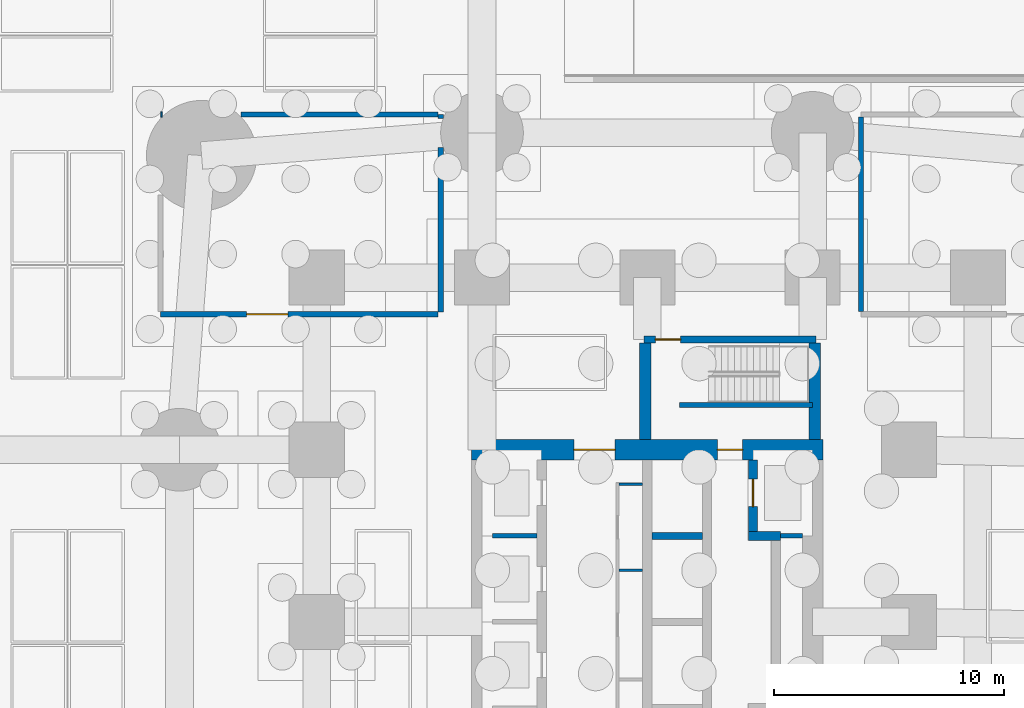
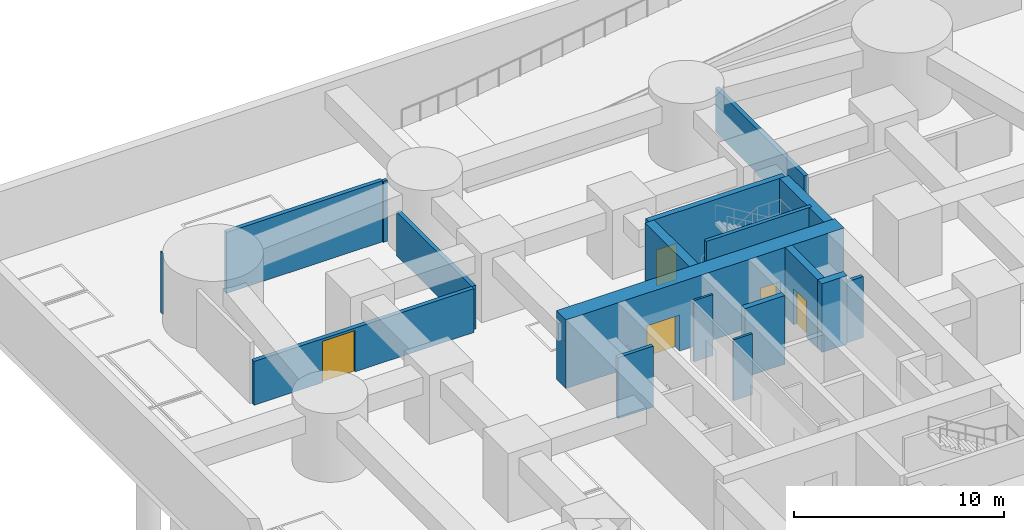
# One storey, part 4 of 10: 18 walls, 5 doors, 5 openings.
"""IFC4 building model written with IfcOpenShell, lengths in metres."""

from ifc_helpers import new_model, si_unit, direction, frame, frame_2d, origin, place, context, subcontext, project, spatial, rectangle, extrude, material, layer, layer_set, type_object, element, fill, save


model = new_model("IFC4")

# Units and contexts
model_context = context("Model", 3, precision=1e-05, world=origin(), true_north=direction((0.0, 1.0)))
body_context = subcontext(model_context, "Body", "Model", "MODEL_VIEW")
ifc_project = project(units=[si_unit("LENGTHUNIT", "METRE"), si_unit("AREAUNIT", "SQUARE_METRE"), si_unit("VOLUMEUNIT", "CUBIC_METRE"), si_unit("PLANEANGLEUNIT", "RADIAN"), si_unit("MASSUNIT", "GRAM", prefix="KILO")], contexts=[model_context])

# Site, building, storey
site_placement = place(None, origin())
site = spatial("IfcSite", under=ifc_project, at=site_placement, CompositionType="ELEMENT")
building_placement = place(site_placement, origin())
building = spatial("IfcBuilding", under=site, at=building_placement, Name="Sheger Commons Tower", CompositionType="ELEMENT")
storey_placement = place(building_placement, frame((0.0, 0.0, -8.0)))
storey = spatial("IfcBuildingStorey", under=building, at=storey_placement, Name="B2", CompositionType="ELEMENT", Elevation=-8.0)

# Wall
ifc_material_1 = material(Name="Concrete C50/60", Category="concrete")
ifc_layer_1 = layer(ifc_material_1, 0.39990234375)
ifc_layer_set_1 = layer_set([ifc_layer_1], Name="CORE INNER WALL 400")
wall_type_1 = type_object("IfcWallType", Name="CORE INNER WALL 400", PredefinedType="SHEAR", material=ifc_layer_set_1)
wall_1_placement = place(storey_placement, frame((26.0, 26.25, 0.0), z_axis=(0.0, 0.0, 1.0), x_axis=(1.0, 0.0, 0.0)))
element("IfcWall", 1, at=wall_1_placement, inside=storey, type_object=wall_type_1, Name="Core inner wall F north return B2", PredefinedType="SHEAR", context=body_context, shape_type="SweptSolid", body=[
    extrude(rectangle(XDim=1.39990234375, YDim=0.39990234375, at=frame_2d((0.699951171875, 0.0))), origin(), (0.0, 0.0, 1.0), 4.0),
])

# Wall, opening, door
wall_2_placement = place(storey_placement, frame((26.199951171875, 26.449951171875, 0.0), z_axis=(0.0, 0.0, 1.0), x_axis=(0.0, 1.0, 0.0)))
wall_2 = element("IfcWall", 2, at=wall_2_placement, inside=storey, type_object=wall_type_1, Name="Core inner wall F north B2", PredefinedType="SHEAR", context=body_context, shape_type="SweptSolid", body=[
    extrude(rectangle(XDim=3.10009765625, YDim=0.39990234375, at=frame_2d((1.550048828125, 0.0))), origin(), (0.0, 0.0, 1.0), 4.0),
])
opening_1_placement = place(wall_2_placement, frame((1.074951171875, 0.0, 0.0)))
opening_1 = element("IfcOpeningElement", 3, at=opening_1_placement, cuts=wall_2, Name="Opening LD2", PredefinedType="OPENING", context=body_context, shape_type="SweptSolid", body=[
    extrude(rectangle(XDim=1.199951171875, YDim=2.10009765625, at=frame_2d((0.60009765625, 1.050048828125))), frame((0.0, 0.2099609375, 0.0), z_axis=(0.0, -1.0, 0.0), x_axis=(1.0, 0.0, 0.0)), (0.0, 0.0, 1.0), 0.419921875),
])
ifc_material_2 = material(Name="Steel door set, fire rated", Category="steel")
door_type_1 = type_object("IfcDoorType", Name="FIREFIGHTING LIFT LANDING DOOR 1200x2100", OperationType="DOUBLE_DOOR_SLIDING", PredefinedType="DOOR", material=ifc_material_2)
door_1_placement = place(opening_1_placement, origin())
door_1 = element("IfcDoor", 4, at=door_1_placement, inside=storey, type_object=door_type_1, Name="Lift FL2 landing door", OperationType="DOUBLE_DOOR_SLIDING", OverallHeight=2.10009765625, OverallWidth=1.199951171875, PredefinedType="DOOR", context=body_context, shape_type="SweptSolid", body=[
    extrude(rectangle(XDim=1.199951171875, YDim=2.10009765625, at=frame_2d((0.60009765625, 1.050048828125))), frame((0.0, 0.02490234375, 0.0), z_axis=(0.0, -1.0, 0.0), x_axis=(1.0, 0.0, 0.0)), (0.0, 0.0, 1.0), 0.050048828125),
])
fill(opening_1, door_1)

# Wall, openings, doors
ifc_material_3 = material(Name="Concrete C50/60", Category="concrete")
ifc_layer_2 = layer(ifc_material_3, 0.89990234375)
ifc_layer_set_2 = layer_set([ifc_layer_2], Name="CORE WALL 900")
wall_type_2 = type_object("IfcWallType", Name="CORE WALL 900", PredefinedType="SHEAR", material=ifc_layer_set_2)
wall_3_placement = place(storey_placement, frame((13.949951171875, 30.0, 0.0), z_axis=(0.0, 0.0, 1.0), x_axis=(1.0, 0.0, 0.0)))
wall_3 = element("IfcWall", 5, at=wall_3_placement, inside=storey, type_object=wall_type_2, Name="Core wall north B2", PredefinedType="SHEAR", context=body_context, shape_type="SweptSolid", body=[
    extrude(rectangle(XDim=15.300048828125, YDim=0.89990234375, at=frame_2d((7.64990234375, 0.0))), origin(), (0.0, 0.0, 1.0), 4.0),
])
opening_2_placement = place(wall_3_placement, frame((4.449951171875, 0.0, 0.0)))
opening_2 = element("IfcOpeningElement", 6, at=opening_2_placement, cuts=wall_3, Name="Opening D6", PredefinedType="OPENING", context=body_context, shape_type="SweptSolid", body=[
    extrude(rectangle(XDim=1.800048828125, YDim=2.10009765625, at=frame_2d((0.89990234375, 1.050048828125))), frame((0.0, 0.4599609375, 0.0), z_axis=(0.0, -1.0, 0.0), x_axis=(1.0, 0.0, 0.0)), (0.0, 0.0, 1.0), 0.919921875),
])
opening_3_placement = place(wall_3_placement, frame((10.699951171875, 0.0, 0.0)))
opening_3 = element("IfcOpeningElement", 7, at=opening_3_placement, cuts=wall_3, Name="Opening D5", PredefinedType="OPENING", context=body_context, shape_type="SweptSolid", body=[
    extrude(rectangle(XDim=1.10009765625, YDim=2.10009765625, at=frame_2d((0.550048828125, 1.050048828125))), frame((0.0, 0.4599609375, 0.0), z_axis=(0.0, -1.0, 0.0), x_axis=(1.0, 0.0, 0.0)), (0.0, 0.0, 1.0), 0.919921875),
])
ifc_material_4 = material(Name="Steel door set, fire rated", Category="steel")
door_type_2 = type_object("IfcDoorType", Name="LOBBY DOUBLE DOOR 1800x2100", OperationType="DOUBLE_DOOR_SINGLE_SWING", PredefinedType="DOOR", material=ifc_material_4)
door_2_placement = place(opening_2_placement, origin())
door_2 = element("IfcDoor", 8, at=door_2_placement, inside=storey, type_object=door_type_2, Name="Lift lobby door", OperationType="DOUBLE_DOOR_SINGLE_SWING", OverallHeight=2.10009765625, OverallWidth=1.800048828125, PredefinedType="DOOR", context=body_context, shape_type="SweptSolid", body=[
    extrude(rectangle(XDim=1.800048828125, YDim=2.10009765625, at=frame_2d((0.89990234375, 1.050048828125))), frame((0.0, 0.02490234375, 0.0), z_axis=(0.0, -1.0, 0.0), x_axis=(1.0, 0.0, 0.0)), (0.0, 0.0, 1.0), 0.050048828125),
])
fill(opening_2, door_2)
ifc_material_5 = material(Name="Steel door set, fire rated", Category="steel")
door_type_3 = type_object("IfcDoorType", Name="STAIR DOOR 1100x2100", OperationType="NOTDEFINED", PredefinedType="DOOR", material=ifc_material_5)
door_3_placement = place(opening_3_placement, origin())
door_3 = element("IfcDoor", 9, at=door_3_placement, inside=storey, type_object=door_type_3, Name="Fire-fighting lobby door", OperationType="SINGLE_SWING_RIGHT", OverallHeight=2.10009765625, OverallWidth=1.10009765625, PredefinedType="DOOR", context=body_context, shape_type="SweptSolid", body=[
    extrude(rectangle(XDim=1.10009765625, YDim=2.10009765625, at=frame_2d((0.550048828125, 1.050048828125))), frame((0.0, 0.02490234375, 0.0), z_axis=(0.0, -1.0, 0.0), x_axis=(1.0, 0.0, 0.0)), (0.0, 0.0, 1.0), 0.050048828125),
])
fill(opening_3, door_3)

# Wall, opening, door
ifc_material_6 = material(Name="Dense concrete block masonry, skimmed both sides", Category="masonry")
ifc_layer_3 = layer(ifc_material_6, 0.22509765625)
ifc_layer_set_3 = layer_set([ifc_layer_3], Name="FIRE WALL 225")
wall_type_3 = type_object("IfcWallType", Name="FIRE WALL 225", PredefinedType="SOLIDWALL", material=ifc_layer_set_3)
wall_4_placement = place(storey_placement, frame((0.39990234375, 35.89990234375, 0.0), z_axis=(0.0, 0.0, 1.0), x_axis=(1.0, 0.0, 0.0)))
wall_4 = element("IfcWall", 10, at=wall_4_placement, inside=storey, type_object=wall_type_3, Name="Plant room wall B2", PredefinedType="SOLIDWALL", context=body_context, shape_type="SweptSolid", body=[
    extrude(rectangle(XDim=12.087158203125, YDim=0.22509765625, at=frame_2d((6.04345703125, 0.0))), origin(), (0.0, 0.0, 1.0), 2.550048828125),
])
opening_4_placement = place(wall_4_placement, frame((3.75, 0.0, 0.0)))
opening_4 = element("IfcOpeningElement", 11, at=opening_4_placement, cuts=wall_4, Name="Opening D7", PredefinedType="OPENING", context=body_context, shape_type="SweptSolid", body=[
    extrude(rectangle(XDim=1.800048828125, YDim=2.39990234375, at=frame_2d((0.89990234375, 1.199951171875))), frame((0.0, 0.12255859375, 0.0), z_axis=(0.0, -1.0, 0.0), x_axis=(1.0, 0.0, 0.0)), (0.0, 0.0, 1.0), 0.2451171875),
])
ifc_material_7 = material(Name="Steel door set, fire rated", Category="steel")
door_type_4 = type_object("IfcDoorType", Name="PLANT DOUBLE DOOR 1800x2400", OperationType="DOUBLE_DOOR_SINGLE_SWING", PredefinedType="DOOR", material=ifc_material_7)
door_4_placement = place(opening_4_placement, origin())
door_4 = element("IfcDoor", 12, at=door_4_placement, inside=storey, type_object=door_type_4, Name="Generator room door", OperationType="DOUBLE_DOOR_SINGLE_SWING", OverallHeight=2.39990234375, OverallWidth=1.800048828125, PredefinedType="DOOR", context=body_context, shape_type="SweptSolid", body=[
    extrude(rectangle(XDim=1.800048828125, YDim=2.39990234375, at=frame_2d((0.89990234375, 1.199951171875))), frame((0.0, 0.02490234375, 0.0), z_axis=(0.0, -1.0, 0.0), x_axis=(1.0, 0.0, 0.0)), (0.0, 0.0, 1.0), 0.050048828125),
])
fill(opening_4, door_4)

# Walls
wall_5_placement = place(storey_placement, frame((12.60009765625, 36.0, 0.0), z_axis=(0.0, 0.0, 1.0), x_axis=(0.0, 1.0, 0.0)))
element("IfcWall", 13, at=wall_5_placement, inside=storey, type_object=wall_type_3, Name="Plant room wall B2", PredefinedType="SOLIDWALL", context=body_context, shape_type="SweptSolid", body=[
    extrude(rectangle(XDim=7.174072265625, YDim=0.22509765625, at=frame_2d((3.5869140625, 0.0))), origin(), (0.0, 0.0, 1.0), 2.550048828125),
])
wall_6_placement = place(storey_placement, frame((12.60009765625, 44.426025390625, 0.0), z_axis=(0.0, 0.0, 1.0), x_axis=(0.0, 1.0, 0.0)))
element("IfcWall", 14, at=wall_6_placement, inside=storey, type_object=wall_type_3, Name="Plant room wall B2", PredefinedType="SOLIDWALL", context=body_context, shape_type="SweptSolid", body=[
    extrude(rectangle(XDim=0.174072265625, YDim=0.22509765625, at=frame_2d((0.0869140625, 0.0))), origin(), (0.0, 0.0, 1.0), 3.550048828125),
])
wall_7_placement = place(storey_placement, frame((0.39990234375, 44.60009765625, 0.0), z_axis=(0.0, 0.0, 1.0), x_axis=(1.0, 0.0, 0.0)))
element("IfcWall", 15, at=wall_7_placement, inside=storey, type_object=wall_type_3, Name="Plant room wall B2", PredefinedType="SOLIDWALL", context=body_context, shape_type="SweptSolid", body=[
    extrude(rectangle(XDim=0.066162109375, YDim=0.22509765625, at=frame_2d((0.033203125, 0.0))), origin(), (0.0, 0.0, 1.0), 3.550048828125),
])
wall_8_placement = place(storey_placement, frame((3.906005859375, 44.60009765625, 0.0), z_axis=(0.0, 0.0, 1.0), x_axis=(1.0, 0.0, 0.0)))
element("IfcWall", 16, at=wall_8_placement, inside=storey, type_object=wall_type_3, Name="Plant room wall B2", PredefinedType="SOLIDWALL", context=body_context, shape_type="SweptSolid", body=[
    extrude(rectangle(XDim=8.5810546875, YDim=0.22509765625, at=frame_2d((4.29052734375, 0.0))), origin(), (0.0, 0.0, 1.0), 3.550048828125),
])
wall_9_placement = place(storey_placement, frame((30.89990234375, 36.011962890625, 0.0), z_axis=(0.0, 0.0, 1.0), x_axis=(0.0, 1.0, 0.0)))
element("IfcWall", 17, at=wall_9_placement, inside=storey, type_object=wall_type_3, Name="Plant room wall B2", PredefinedType="SOLIDWALL", context=body_context, shape_type="SweptSolid", body=[
    extrude(rectangle(XDim=8.47607421875, YDim=0.22509765625, at=frame_2d((4.238037109375, 0.0))), origin(), (0.0, 0.0, 1.0), 2.550048828125),
])
ifc_material_8 = material(Name="Concrete C40/50", Category="concrete")
ifc_layer_4 = layer(ifc_material_8, 0.300048828125)
ifc_layer_set_4 = layer_set([ifc_layer_4], Name="LIFT PIT WALL 300")
wall_type_4 = type_object("IfcWallType", Name="LIFT PIT WALL 300", PredefinedType="SHEAR", material=ifc_layer_set_4)
wall_10_placement = place(storey_placement, frame((21.800048828125, 26.25, 0.0), z_axis=(0.0, 0.0, 1.0), x_axis=(1.0, 0.0, 0.0)))
element("IfcWall", 18, at=wall_10_placement, inside=storey, type_object=wall_type_4, Name="Lift pit wall B2", PredefinedType="SHEAR", context=body_context, shape_type="SweptSolid", body=[
    extrude(rectangle(XDim=2.199951171875, YDim=0.300048828125, at=frame_2d((1.10009765625, 0.0))), origin(), (0.0, 0.0, 1.0), 4.0),
])
ifc_material_9 = material(Name="Gypsum board on steel studs, two layers each side, fire rated", Category="steel")
ifc_layer_5 = layer(ifc_material_9, 0.125)
ifc_layer_set_5 = layer_set([ifc_layer_5], Name="SERVICE WALL 125")
wall_type_5 = type_object("IfcWallType", Name="SERVICE WALL 125", PredefinedType="PARTITIONING", material=ifc_layer_set_5)
for number, where, z_axis, x_axis, name in (
    (19, (20.363037109375, 28.5, 0.0), (0.0, 0.0, 1.0), (1.0, 0.0, 0.0), "Service room wall B2"),
    (20, (20.363037109375, 24.75, 0.0), (0.0, 0.0, 1.0), (1.0, 0.0, 0.0), "Service room wall B2"),
):
    element("IfcWall", number, at=place(storey_placement, frame(where, z_axis=z_axis, x_axis=x_axis)), inside=storey, type_object=wall_type_5, Name=name, PredefinedType="PARTITIONING", context=body_context, shape_type="SweptSolid", body=[
        extrude(rectangle(XDim=1.036865234375, YDim=0.125, at=frame_2d((0.5185546875, 0.0))), origin(), (0.0, 0.0, 1.0), 3.550048828125),
    ])
ifc_material_10 = material(Name="Hollow concrete block masonry", Category="masonry")
ifc_layer_6 = layer(ifc_material_10, 0.199951171875)
ifc_layer_set_6 = layer_set([ifc_layer_6], Name="SHAFT WALL 200")
wall_type_6 = type_object("IfcWallType", Name="SHAFT WALL 200", PredefinedType="SOLIDWALL", material=ifc_layer_set_6)
wall_11_placement = place(storey_placement, frame((14.85009765625, 26.25, 0.0), z_axis=(0.0, 0.0, 1.0), x_axis=(1.0, 0.0, 0.0)))
element("IfcWall", 21, at=wall_11_placement, inside=storey, type_object=wall_type_6, Name="Lift shaft wall B2", PredefinedType="SOLIDWALL", context=body_context, shape_type="SweptSolid", body=[
    extrude(rectangle(XDim=1.949951171875, YDim=0.199951171875, at=frame_2d((0.97509765625, 0.0))), origin(), (0.0, 0.0, 1.0), 3.550048828125),
])
wall_12_placement = place(storey_placement, frame((27.39990234375, 26.25, 0.0), z_axis=(0.0, 0.0, 1.0), x_axis=(1.0, 0.0, 0.0)))
element("IfcWall", 22, at=wall_12_placement, inside=storey, type_object=wall_type_6, Name="Lift shaft wall B2", PredefinedType="SOLIDWALL", context=body_context, shape_type="SweptSolid", body=[
    extrude(rectangle(XDim=0.9501953125, YDim=0.199951171875, at=frame_2d((0.47509765625, 0.0))), origin(), (0.0, 0.0, 1.0), 3.550048828125),
])

# Wall, opening, door
ifc_material_11 = material(Name="Concrete C50/60", Category="concrete")
ifc_layer_7 = layer(ifc_material_11, 0.300048828125)
ifc_layer_set_7 = layer_set([ifc_layer_7], Name="STAIR CORE WALL 300")
wall_type_7 = type_object("IfcWallType", Name="STAIR CORE WALL 300", PredefinedType="SHEAR", material=ifc_layer_set_7)
wall_13_placement = place(storey_placement, frame((21.449951171875, 34.800048828125, 0.0), z_axis=(0.0, 0.0, 1.0), x_axis=(1.0, 0.0, 0.0)))
wall_13 = element("IfcWall", 23, at=wall_13_placement, inside=storey, type_object=wall_type_7, Name="STW-B2-S2N", PredefinedType="SHEAR", context=body_context, shape_type="SweptSolid", body=[
    extrude(rectangle(XDim=7.5, YDim=0.300048828125, at=frame_2d((3.75, 0.0))), origin(), (0.0, 0.0, 1.0), 4.0),
])
opening_5_placement = place(wall_13_placement, frame((0.5, 0.0, 0.0)))
opening_5 = element("IfcOpeningElement", 24, at=opening_5_placement, cuts=wall_13, Name="Opening D5", PredefinedType="OPENING", context=body_context, shape_type="SweptSolid", body=[
    extrude(rectangle(XDim=1.10009765625, YDim=2.10009765625, at=frame_2d((0.550048828125, 1.050048828125))), frame((0.0, 0.159912109375, 0.0), z_axis=(0.0, -1.0, 0.0), x_axis=(1.0, 0.0, 0.0)), (0.0, 0.0, 1.0), 0.320068359375),
])
door_5_placement = place(opening_5_placement, origin())
door_5 = element("IfcDoor", 25, at=door_5_placement, inside=storey, type_object=door_type_3, Name="Stair S2 door", OperationType="SINGLE_SWING_RIGHT", OverallHeight=2.10009765625, OverallWidth=1.10009765625, PredefinedType="DOOR", context=body_context, shape_type="SweptSolid", body=[
    extrude(rectangle(XDim=1.10009765625, YDim=2.10009765625, at=frame_2d((0.550048828125, 1.050048828125))), frame((0.0, 0.02490234375, 0.0), z_axis=(0.0, -1.0, 0.0), x_axis=(1.0, 0.0, 0.0)), (0.0, 0.0, 1.0), 0.050048828125),
])
fill(opening_5, door_5)

# Walls
ifc_material_12 = material(Name="Concrete C50/60", Category="concrete")
ifc_layer_8 = layer(ifc_material_12, 0.5)
ifc_layer_set_8 = layer_set([ifc_layer_8], Name="STAIR CORE WALL 500")
wall_type_8 = type_object("IfcWallType", Name="STAIR CORE WALL 500", PredefinedType="SHEAR", material=ifc_layer_set_8)
for number, where, z_axis, x_axis, name in (
    (26, (21.5, 30.449951171875, 0.0), (0.0, 0.0, 1.0), (0.0, 1.0, 0.0), "STW-B2-S2W"),
    (27, (28.89990234375, 30.449951171875, 0.0), (0.0, 0.0, 1.0), (0.0, 1.0, 0.0), "STW-B2-S2E"),
):
    element("IfcWall", number, at=place(storey_placement, frame(where, z_axis=z_axis, x_axis=x_axis)), inside=storey, type_object=wall_type_8, Name=name, PredefinedType="SHEAR", context=body_context, shape_type="SweptSolid", body=[
        extrude(rectangle(XDim=4.199951171875, YDim=0.5, at=frame_2d((2.10009765625, 0.0))), origin(), (0.0, 0.0, 1.0), 4.0),
    ])
ifc_material_13 = material(Name="Concrete C50/60", Category="concrete")
ifc_layer_9 = layer(ifc_material_13, 0.199951171875)
ifc_layer_set_9 = layer_set([ifc_layer_9], Name="STAIR SPINE WALL 200")
wall_type_9 = type_object("IfcWallType", Name="STAIR SPINE WALL 200", PredefinedType="SHEAR", material=ifc_layer_set_9)
wall_14_placement = place(storey_placement, frame((23.0, 31.949951171875, 0.0), z_axis=(0.0, 0.0, 1.0), x_axis=(1.0, 0.0, 0.0)))
element("IfcWall", 28, at=wall_14_placement, inside=storey, type_object=wall_type_9, Name="Stair spine wall B2", PredefinedType="SHEAR", context=body_context, shape_type="SweptSolid", body=[
    extrude(rectangle(XDim=5.800048828125, YDim=0.199951171875, at=frame_2d((2.89990234375, 0.0))), origin(), (0.0, 0.0, 1.0), 4.0),
])

save(model, "model.ifc")
